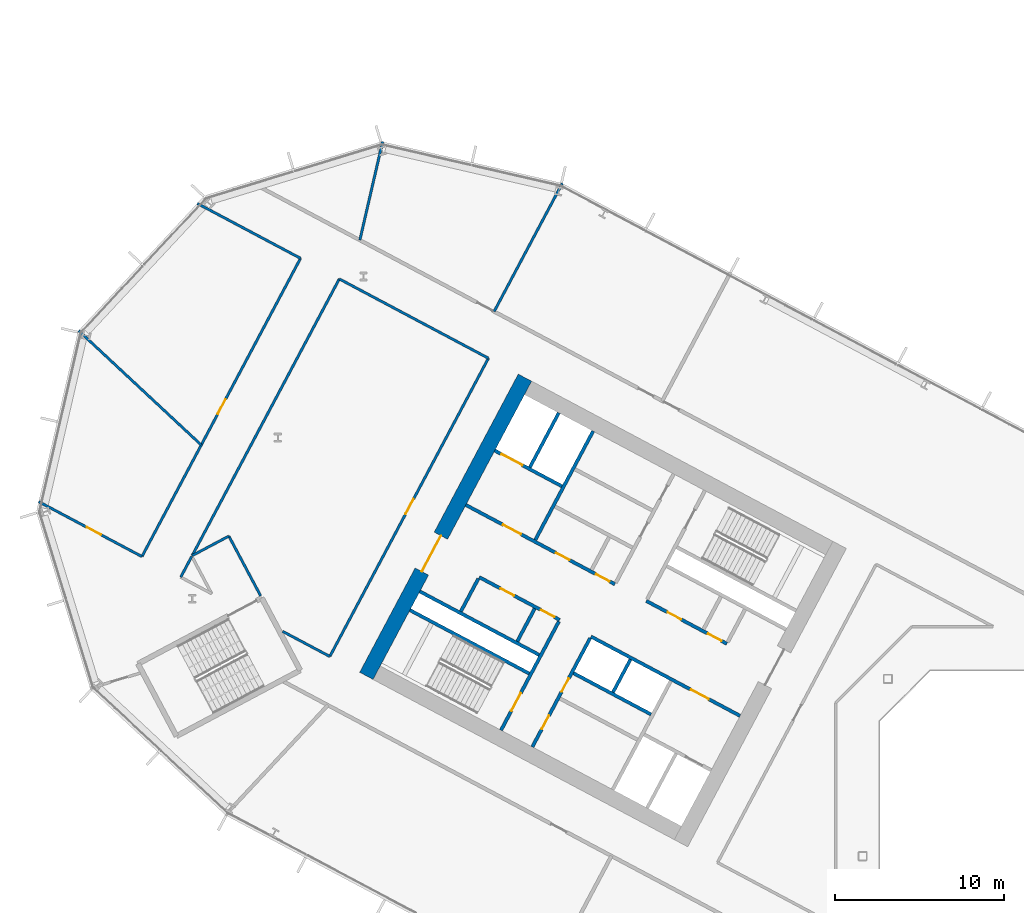
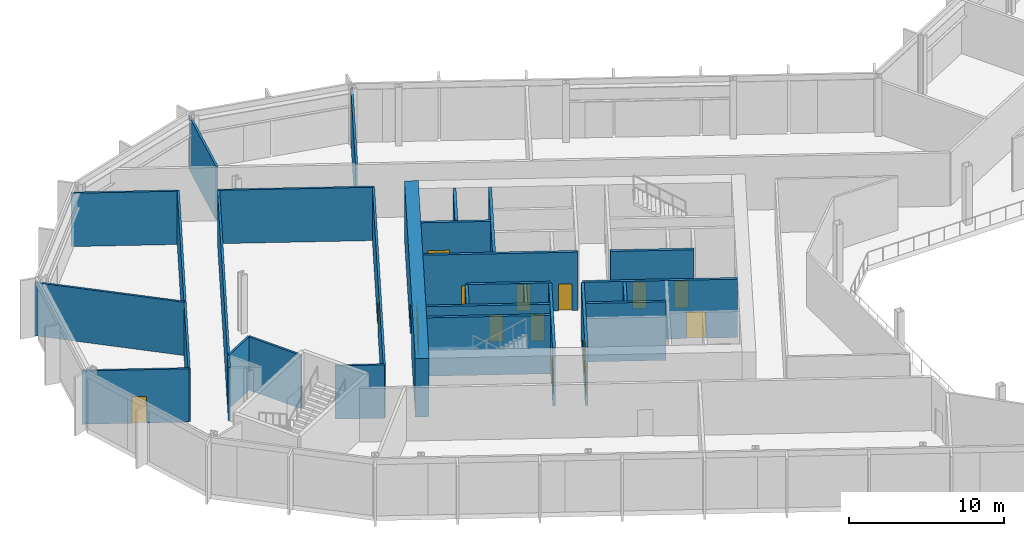
# One storey, part 15 of 31: 29 walls, 16 doors, 16 openings.
"""IFC4 building model written with IfcOpenShell, lengths in metres."""

from ifc_helpers import new_model, si_unit, direction, frame, frame_2d, origin, place, context, subcontext, project, spatial, rectangle, extrude, material, layer, layer_set, type_object, element, fill, save


model = new_model("IFC4")

# Units and contexts
model_context = context("Model", 3, precision=1e-05, world=origin(), true_north=direction((0.0, 1.0)))
body_context = subcontext(model_context, "Body", "Model", "MODEL_VIEW")
ifc_project = project(units=[si_unit("LENGTHUNIT", "METRE"), si_unit("AREAUNIT", "SQUARE_METRE"), si_unit("VOLUMEUNIT", "CUBIC_METRE"), si_unit("PLANEANGLEUNIT", "RADIAN"), si_unit("MASSUNIT", "GRAM", prefix="KILO")], contexts=[model_context])

# Site, building, storey
site_placement = place(None, origin())
site = spatial("IfcSite", under=ifc_project, at=site_placement, CompositionType="ELEMENT")
building_placement = place(site_placement, origin())
building = spatial("IfcBuilding", under=site, at=building_placement, Name="Cormorant Relay Tower", CompositionType="ELEMENT")
storey_placement = place(building_placement, frame((0.0, 0.0, 98.39990234375)))
storey = spatial("IfcBuildingStorey", under=building, at=storey_placement, Name="L19", CompositionType="ELEMENT", Elevation=98.39990234375)

# Walls
ifc_material_1 = material(Name="Concrete 40 MPa", Category="concrete")
ifc_layer_1 = layer(ifc_material_1, 0.199951171875)
ifc_layer_set_1 = layer_set([ifc_layer_1], Name="Core internal wall 200")
wall_type_1 = type_object("IfcWallType", Name="Core internal wall 200", PredefinedType="SOLIDWALL", material=ifc_layer_set_1)
wall_1_placement = place(storey_placement, frame((-25.744140625, 11.64990234375, 0.0), z_axis=(0.0, 0.0, 1.0), x_axis=(-0.469487830541, -0.882938942948, 0.0)))
element("IfcWall", 1, at=wall_1_placement, inside=storey, type_object=wall_type_1, Name="L19 core A shaft and room wall", PredefinedType="SOLIDWALL", context=body_context, shape_type="SweptSolid", body=[
    extrude(rectangle(XDim=2.2001953125, YDim=0.199951171875, at=frame_2d((1.10009765625, 0.0))), origin(), (0.0, 0.0, 1.0), 4.60009765625),
])
wall_2_placement = place(storey_placement, frame((-31.41259765625, 14.663818359375, 0.0), z_axis=(0.0, 0.0, 1.0), x_axis=(-0.469533832133, -0.882914480843, 0.0)))
element("IfcWall", 2, at=wall_2_placement, inside=storey, type_object=wall_type_1, Name="L19 core A shaft and room wall", PredefinedType="SOLIDWALL", context=body_context, shape_type="SweptSolid", body=[
    extrude(rectangle(XDim=2.199951171875, YDim=0.199951171875, at=frame_2d((1.10009765625, 0.0))), origin(), (0.0, 0.0, 1.0), 4.60009765625),
])

# Wall, openings, doors
ifc_material_2 = material(Name="Concrete 50 MPa", Category="concrete")
ifc_layer_2 = layer(ifc_material_2, 0.199951171875)
ifc_layer_set_2 = layer_set([ifc_layer_2], Name="Core shaft wall 200")
wall_type_2 = type_object("IfcWallType", Name="Core shaft wall 200", PredefinedType="SHEAR", material=ifc_layer_set_2)
wall_3_placement = place(storey_placement, frame((-28.128173828125, 12.91748046875, 0.0), z_axis=(0.0, 0.0, 1.0), x_axis=(-0.469454336211, -0.882956752176, 0.0)))
wall_3 = element("IfcWall", 3, at=wall_3_placement, inside=storey, type_object=wall_type_2, Name="L19 core A shaft wall", PredefinedType="SHEAR", context=body_context, shape_type="SweptSolid", body=[
    extrude(rectangle(XDim=7.300048828125, YDim=0.199951171875, at=frame_2d((3.64990234375, 0.0))), origin(), (0.0, 0.0, 1.0), 4.60009765625),
])
opening_1_placement = place(wall_3_placement, frame((2.699951171875, 0.0, 0.0)))
opening_1 = element("IfcOpeningElement", 4, at=opening_1_placement, cuts=wall_3, Name="Opening CDD-138", PredefinedType="OPENING", context=body_context, shape_type="SweptSolid", body=[
    extrude(rectangle(XDim=0.89990234375, YDim=2.10009765625, at=frame_2d((0.449951171875, 1.050048828125))), frame((0.0, 0.10986328125, 0.0), z_axis=(0.0, -1.0, 0.0), x_axis=(1.0, 0.0, 0.0)), (0.0, 0.0, 1.0), 0.219970703125),
])
opening_2_placement = place(wall_3_placement, frame((5.199951171875, 0.0, 0.0)))
opening_2 = element("IfcOpeningElement", 5, at=opening_2_placement, cuts=wall_3, Name="Opening CDD-139", PredefinedType="OPENING", context=body_context, shape_type="SweptSolid", body=[
    extrude(rectangle(XDim=0.89990234375, YDim=2.10009765625, at=frame_2d((0.449951171875, 1.050048828125))), frame((0.0, 0.10986328125, 0.0), z_axis=(0.0, -1.0, 0.0), x_axis=(1.0, 0.0, 0.0)), (0.0, 0.0, 1.0), 0.219970703125),
])
ifc_material_3 = material(Name="Steel fire door", Category="steel")
door_type_1 = type_object("IfcDoorType", Name="Core room door 900x2100", OperationType="SINGLE_SWING_LEFT", PredefinedType="DOOR", material=ifc_material_3)
door_1_placement = place(opening_1_placement, origin())
door_1 = element("IfcDoor", 6, at=door_1_placement, inside=storey, type_object=door_type_1, Name="Core room door 900x2100", OperationType="SINGLE_SWING_LEFT", OverallHeight=2.10009765625, OverallWidth=0.89990234375, PredefinedType="DOOR", context=body_context, shape_type="SweptSolid", body=[
    extrude(rectangle(XDim=0.89990234375, YDim=2.10009765625, at=frame_2d((0.449951171875, 1.050048828125))), frame((0.0, 0.02490234375, 0.0), z_axis=(0.0, -1.0, 0.0), x_axis=(1.0, 0.0, 0.0)), (0.0, 0.0, 1.0), 0.050048828125),
])
fill(opening_1, door_1)
door_2_placement = place(opening_2_placement, origin())
door_2 = element("IfcDoor", 7, at=door_2_placement, inside=storey, type_object=door_type_1, Name="Core room door 900x2100", OperationType="SINGLE_SWING_LEFT", OverallHeight=2.10009765625, OverallWidth=0.89990234375, PredefinedType="DOOR", context=body_context, shape_type="SweptSolid", body=[
    extrude(rectangle(XDim=0.89990234375, YDim=2.10009765625, at=frame_2d((0.449951171875, 1.050048828125))), frame((0.0, 0.02490234375, 0.0), z_axis=(0.0, -1.0, 0.0), x_axis=(1.0, 0.0, 0.0)), (0.0, 0.0, 1.0), 0.050048828125),
])
fill(opening_2, door_2)

# Wall, opening, door
wall_4_placement = place(storey_placement, frame((-29.982421875, 13.9033203125, 0.0), z_axis=(0.0, 0.0, 1.0), x_axis=(-0.469454336211, -0.882956752176, 0.0)))
wall_4 = element("IfcWall", 8, at=wall_4_placement, inside=storey, type_object=wall_type_2, Name="L19 core A shaft wall", PredefinedType="SHEAR", context=body_context, shape_type="SweptSolid", body=[
    extrude(rectangle(XDim=7.300048828125, YDim=0.199951171875, at=frame_2d((3.64990234375, 0.0))), origin(), (0.0, 0.0, 1.0), 4.60009765625),
])
opening_3_placement = place(wall_4_placement, frame((4.800048828125, 0.0, 0.0)))
opening_3 = element("IfcOpeningElement", 9, at=opening_3_placement, cuts=wall_4, Name="Opening CDB-025", PredefinedType="OPENING", context=body_context, shape_type="SweptSolid", body=[
    extrude(rectangle(XDim=1.199951171875, YDim=2.10009765625, at=frame_2d((0.60009765625, 1.050048828125))), frame((0.0, 0.10986328125, 0.0), z_axis=(0.0, -1.0, 0.0), x_axis=(1.0, 0.0, 0.0)), (0.0, 0.0, 1.0), 0.219970703125),
])
ifc_material_4 = material(Name="Steel fire door", Category="steel")
door_type_2 = type_object("IfcDoorType", Name="Core stair door 1200x2100", OperationType="SINGLE_SWING_LEFT", PredefinedType="DOOR", material=ifc_material_4)
door_3_placement = place(opening_3_placement, frame((1.199951171875, 0.0, 0.0), z_axis=(0.0, 0.0, 1.0), x_axis=(-1.0, 0.0, 0.0)))
door_3 = element("IfcDoor", 10, at=door_3_placement, inside=storey, type_object=door_type_2, Name="Core stair door 1200x2100", OperationType="SINGLE_SWING_RIGHT", OverallHeight=2.10009765625, OverallWidth=1.199951171875, PredefinedType="DOOR", context=body_context, shape_type="SweptSolid", body=[
    extrude(rectangle(XDim=1.199951171875, YDim=2.10009765625, at=frame_2d((0.60009765625, 1.050048828125))), frame((0.0, 0.02490234375, 0.0), z_axis=(0.0, -1.0, 0.0), x_axis=(1.0, 0.0, 0.0)), (0.0, 0.0, 1.0), 0.050048828125),
])
fill(opening_3, door_3)

# Walls
wall_5_placement = place(storey_placement, frame((-27.955322265625, 25.170654296875, 0.0), z_axis=(0.0, 0.0, 1.0), x_axis=(-0.469480409012, -0.88294288918, 0.0)))
element("IfcWall", 11, at=wall_5_placement, inside=storey, type_object=wall_type_2, Name="L19 core A shaft wall", PredefinedType="SHEAR", context=body_context, shape_type="SweptSolid", body=[
    extrude(rectangle(XDim=7.300048828125, YDim=0.199951171875, at=frame_2d((3.64990234375, 0.0))), origin(), (0.0, 0.0, 1.0), 4.60009765625),
])
wall_6_placement = place(storey_placement, frame((-34.750244140625, 16.4384765625, 0.0), z_axis=(0.0, 0.0, 1.0), x_axis=(-0.469401318492, -0.882984938828, 0.0)))
element("IfcWall", 12, at=wall_6_placement, inside=storey, type_object=wall_type_2, Name="L19 core A shaft wall", PredefinedType="SHEAR", context=body_context, shape_type="SweptSolid", body=[
    extrude(rectangle(XDim=2.199951171875, YDim=0.199951171875, at=frame_2d((1.10009765625, 0.0))), origin(), (0.0, 0.0, 1.0), 4.60009765625),
])
wall_7_placement = place(storey_placement, frame((-29.986083984375, 26.250244140625, 0.0), z_axis=(0.0, 0.0, 1.0), x_axis=(-0.469494272526, -0.882935517501, 0.0)))
element("IfcWall", 13, at=wall_7_placement, inside=storey, type_object=wall_type_2, Name="L19 core A shaft wall", PredefinedType="SHEAR", context=body_context, shape_type="SweptSolid", body=[
    extrude(rectangle(XDim=3.64990234375, YDim=0.199951171875, at=frame_2d((1.824951171875, 0.0))), origin(), (0.0, 0.0, 1.0), 4.60009765625),
])

# Wall, opening, door
wall_8_placement = place(storey_placement, frame((-29.80419921875, 21.906494140625, 0.0), z_axis=(0.0, 0.0, 1.0), x_axis=(-0.882960433586, 0.469447412093, 0.0)))
wall_8 = element("IfcWall", 14, at=wall_8_placement, inside=storey, type_object=wall_type_2, Name="L19 core A shaft wall", PredefinedType="SHEAR", context=body_context, shape_type="SweptSolid", body=[
    extrude(rectangle(XDim=4.5, YDim=0.199951171875, at=frame_2d((2.25, 0.0))), origin(), (0.0, 0.0, 1.0), 4.60009765625),
])
opening_4_placement = place(wall_8_placement, frame((2.64990234375, 0.0, 0.0)))
opening_4 = element("IfcOpeningElement", 15, at=opening_4_placement, cuts=wall_8, Name="Opening LD3-009", PredefinedType="OPENING", context=body_context, shape_type="SweptSolid", body=[
    extrude(rectangle(XDim=1.39990234375, YDim=2.39990234375, at=frame_2d((0.699951171875, 1.199951171875))), frame((0.0, 0.10986328125, 0.0), z_axis=(0.0, -1.0, 0.0), x_axis=(1.0, 0.0, 0.0)), (0.0, 0.0, 1.0), 0.219970703125),
])
ifc_material_5 = material(Name="Stainless steel 316", Category="steel")
door_type_3 = type_object("IfcDoorType", Name="Lift landing door 1400x2400", OperationType="DOUBLE_DOOR_SLIDING", PredefinedType="DOOR", material=ifc_material_5)
door_4_placement = place(opening_4_placement, origin())
door_4 = element("IfcDoor", 16, at=door_4_placement, inside=storey, type_object=door_type_3, Name="SV1 landing door", OperationType="DOUBLE_DOOR_SLIDING", OverallHeight=2.39990234375, OverallWidth=1.39990234375, PredefinedType="DOOR", context=body_context, shape_type="SweptSolid", body=[
    extrude(rectangle(XDim=1.39990234375, YDim=2.39990234375, at=frame_2d((0.699951171875, 1.199951171875))), frame((0.0, 0.02490234375, 0.0), z_axis=(0.0, -1.0, 0.0), x_axis=(1.0, 0.0, 0.0)), (0.0, 0.0, 1.0), 0.050048828125),
])
fill(opening_4, door_4)

# Wall, openings, doors
wall_9_placement = place(storey_placement, frame((-20.03955078125, 12.58056640625, 0.0), z_axis=(0.0, 0.0, 1.0), x_axis=(-0.882942972946, 0.469480251476, 0.0)))
wall_9 = element("IfcWall", 17, at=wall_9_placement, inside=storey, type_object=wall_type_2, Name="L19 core A shaft wall", PredefinedType="SHEAR", context=body_context, shape_type="SweptSolid", body=[
    extrude(rectangle(XDim=5.39990234375, YDim=0.199951171875, at=frame_2d((2.699951171875, 0.0))), origin(), (0.0, 0.0, 1.0), 4.60009765625),
])
opening_5_placement = place(wall_9_placement, frame((0.360107421875, 0.0, 0.0)))
opening_5 = element("IfcOpeningElement", 18, at=opening_5_placement, cuts=wall_9, Name="Opening CDD-110", PredefinedType="OPENING", context=body_context, shape_type="SweptSolid", body=[
    extrude(rectangle(XDim=0.89990234375, YDim=2.10009765625, at=frame_2d((0.449951171875, 1.050048828125))), frame((0.0, 0.10986328125, 0.0), z_axis=(0.0, -1.0, 0.0), x_axis=(1.0, 0.0, 0.0)), (0.0, 0.0, 1.0), 0.219970703125),
])
opening_6_placement = place(wall_9_placement, frame((3.06005859375, 0.0, 0.0)))
opening_6 = element("IfcOpeningElement", 19, at=opening_6_placement, cuts=wall_9, Name="Opening CDD-111", PredefinedType="OPENING", context=body_context, shape_type="SweptSolid", body=[
    extrude(rectangle(XDim=0.89990234375, YDim=2.10009765625, at=frame_2d((0.449951171875, 1.050048828125))), frame((0.0, 0.10986328125, 0.0), z_axis=(0.0, -1.0, 0.0), x_axis=(1.0, 0.0, 0.0)), (0.0, 0.0, 1.0), 0.219970703125),
])
door_5_placement = place(opening_5_placement, frame((0.89990234375, 0.0, 0.0), z_axis=(0.0, 0.0, 1.0), x_axis=(-1.0, 0.0, 0.0)))
door_5 = element("IfcDoor", 20, at=door_5_placement, inside=storey, type_object=door_type_1, Name="Core room door 900x2100", OperationType="SINGLE_SWING_RIGHT", OverallHeight=2.10009765625, OverallWidth=0.89990234375, PredefinedType="DOOR", context=body_context, shape_type="SweptSolid", body=[
    extrude(rectangle(XDim=0.89990234375, YDim=2.10009765625, at=frame_2d((0.449951171875, 1.050048828125))), frame((0.0, 0.02490234375, 0.0), z_axis=(0.0, -1.0, 0.0), x_axis=(1.0, 0.0, 0.0)), (0.0, 0.0, 1.0), 0.050048828125),
])
fill(opening_5, door_5)
door_6_placement = place(opening_6_placement, frame((0.89990234375, 0.0, 0.0), z_axis=(0.0, 0.0, 1.0), x_axis=(-1.0, 0.0, 0.0)))
door_6 = element("IfcDoor", 21, at=door_6_placement, inside=storey, type_object=door_type_1, Name="Core room door 900x2100", OperationType="SINGLE_SWING_RIGHT", OverallHeight=2.10009765625, OverallWidth=0.89990234375, PredefinedType="DOOR", context=body_context, shape_type="SweptSolid", body=[
    extrude(rectangle(XDim=0.89990234375, YDim=2.10009765625, at=frame_2d((0.449951171875, 1.050048828125))), frame((0.0, 0.02490234375, 0.0), z_axis=(0.0, -1.0, 0.0), x_axis=(1.0, 0.0, 0.0)), (0.0, 0.0, 1.0), 0.050048828125),
])
fill(opening_6, door_6)

wall_10_placement = place(storey_placement, frame((-26.66162109375, 16.1015625, 0.0), z_axis=(0.0, 0.0, 1.0), x_axis=(-0.882940221191, 0.469485426614, 0.0)))
wall_10 = element("IfcWall", 22, at=wall_10_placement, inside=storey, type_object=wall_type_2, Name="L19 core A shaft wall", PredefinedType="SHEAR", context=body_context, shape_type="SweptSolid", body=[
    extrude(rectangle(XDim=10.0, YDim=0.199951171875, at=frame_2d((5.0, 0.0))), origin(), (0.0, 0.0, 1.0), 4.60009765625),
])
opening_7_placement = place(wall_10_placement, frame((6.300048828125, 0.0, 0.0)))
opening_7 = element("IfcOpeningElement", 23, at=opening_7_placement, cuts=wall_10, Name="Opening CDC-018", PredefinedType="OPENING", context=body_context, shape_type="SweptSolid", body=[
    extrude(rectangle(XDim=1.199951171875, YDim=2.10009765625, at=frame_2d((0.60009765625, 1.050048828125))), frame((0.0, 0.10986328125, 0.0), z_axis=(0.0, -1.0, 0.0), x_axis=(1.0, 0.0, 0.0)), (0.0, 0.0, 1.0), 0.219970703125),
])
opening_8_placement = place(wall_10_placement, frame((0.360107421875, 0.0, 0.0)))
opening_8 = element("IfcOpeningElement", 24, at=opening_8_placement, cuts=wall_10, Name="Opening CDD-112", PredefinedType="OPENING", context=body_context, shape_type="SweptSolid", body=[
    extrude(rectangle(XDim=0.89990234375, YDim=2.10009765625, at=frame_2d((0.449951171875, 1.050048828125))), frame((0.0, 0.10986328125, 0.0), z_axis=(0.0, -1.0, 0.0), x_axis=(1.0, 0.0, 0.0)), (0.0, 0.0, 1.0), 0.219970703125),
])
opening_9_placement = place(wall_10_placement, frame((3.06005859375, 0.0, 0.0)))
opening_9 = element("IfcOpeningElement", 25, at=opening_9_placement, cuts=wall_10, Name="Opening CDD-113", PredefinedType="OPENING", context=body_context, shape_type="SweptSolid", body=[
    extrude(rectangle(XDim=0.89990234375, YDim=2.10009765625, at=frame_2d((0.449951171875, 1.050048828125))), frame((0.0, 0.10986328125, 0.0), z_axis=(0.0, -1.0, 0.0), x_axis=(1.0, 0.0, 0.0)), (0.0, 0.0, 1.0), 0.219970703125),
])
ifc_material_6 = material(Name="Steel fire door", Category="steel")
door_type_4 = type_object("IfcDoorType", Name="Core lobby door 1200x2100", OperationType="SINGLE_SWING_LEFT", PredefinedType="DOOR", material=ifc_material_6)
door_7_placement = place(opening_7_placement, origin())
door_7 = element("IfcDoor", 26, at=door_7_placement, inside=storey, type_object=door_type_4, Name="Core lobby door 1200x2100", OperationType="SINGLE_SWING_LEFT", OverallHeight=2.10009765625, OverallWidth=1.199951171875, PredefinedType="DOOR", context=body_context, shape_type="SweptSolid", body=[
    extrude(rectangle(XDim=1.199951171875, YDim=2.10009765625, at=frame_2d((0.60009765625, 1.050048828125))), frame((0.0, 0.02490234375, 0.0), z_axis=(0.0, -1.0, 0.0), x_axis=(1.0, 0.0, 0.0)), (0.0, 0.0, 1.0), 0.050048828125),
])
fill(opening_7, door_7)
door_8_placement = place(opening_8_placement, frame((0.89990234375, 0.0, 0.0), z_axis=(0.0, 0.0, 1.0), x_axis=(-1.0, 0.0, 0.0)))
door_8 = element("IfcDoor", 27, at=door_8_placement, inside=storey, type_object=door_type_1, Name="Core room door 900x2100", OperationType="SINGLE_SWING_RIGHT", OverallHeight=2.10009765625, OverallWidth=0.89990234375, PredefinedType="DOOR", context=body_context, shape_type="SweptSolid", body=[
    extrude(rectangle(XDim=0.89990234375, YDim=2.10009765625, at=frame_2d((0.449951171875, 1.050048828125))), frame((0.0, 0.02490234375, 0.0), z_axis=(0.0, -1.0, 0.0), x_axis=(1.0, 0.0, 0.0)), (0.0, 0.0, 1.0), 0.050048828125),
])
fill(opening_8, door_8)
door_9_placement = place(opening_9_placement, frame((0.89990234375, 0.0, 0.0), z_axis=(0.0, 0.0, 1.0), x_axis=(-1.0, 0.0, 0.0)))
door_9 = element("IfcDoor", 28, at=door_9_placement, inside=storey, type_object=door_type_1, Name="Core room door 900x2100", OperationType="SINGLE_SWING_RIGHT", OverallHeight=2.10009765625, OverallWidth=0.89990234375, PredefinedType="DOOR", context=body_context, shape_type="SweptSolid", body=[
    extrude(rectangle(XDim=0.89990234375, YDim=2.10009765625, at=frame_2d((0.449951171875, 1.050048828125))), frame((0.0, 0.02490234375, 0.0), z_axis=(0.0, -1.0, 0.0), x_axis=(1.0, 0.0, 0.0)), (0.0, 0.0, 1.0), 0.050048828125),
])
fill(opening_9, door_9)

# Wall, opening, door
wall_11_placement = place(storey_placement, frame((-19.251708984375, 8.31103515625, 0.0), z_axis=(0.0, 0.0, 1.0), x_axis=(-0.882955722218, 0.469456273365, 0.0)))
wall_11 = element("IfcWall", 29, at=wall_11_placement, inside=storey, type_object=wall_type_2, Name="L19 core A shaft wall", PredefinedType="SHEAR", context=body_context, shape_type="SweptSolid", body=[
    extrude(rectangle(XDim=10.0, YDim=0.199951171875, at=frame_2d((5.0, 0.0))), origin(), (0.0, 0.0, 1.0), 4.60009765625),
])
opening_10_placement = place(wall_11_placement, frame((2.10009765625, 0.0, 0.0)))
opening_10 = element("IfcOpeningElement", 30, at=opening_10_placement, cuts=wall_11, Name="Opening CDC-017", PredefinedType="OPENING", context=body_context, shape_type="SweptSolid", body=[
    extrude(rectangle(XDim=1.199951171875, YDim=2.10009765625, at=frame_2d((0.60009765625, 1.050048828125))), frame((0.0, 0.10986328125, 0.0), z_axis=(0.0, -1.0, 0.0), x_axis=(1.0, 0.0, 0.0)), (0.0, 0.0, 1.0), 0.219970703125),
])
door_10_placement = place(opening_10_placement, origin())
door_10 = element("IfcDoor", 31, at=door_10_placement, inside=storey, type_object=door_type_4, Name="Core lobby door 1200x2100", OperationType="SINGLE_SWING_RIGHT", OverallHeight=2.10009765625, OverallWidth=1.199951171875, PredefinedType="DOOR", context=body_context, shape_type="SweptSolid", body=[
    extrude(rectangle(XDim=1.199951171875, YDim=2.10009765625, at=frame_2d((0.60009765625, 1.050048828125))), frame((0.0, 0.02490234375, 0.0), z_axis=(0.0, -1.0, 0.0), x_axis=(1.0, 0.0, 0.0)), (0.0, 0.0, 1.0), 0.050048828125),
])
fill(opening_10, door_10)

# Wall, openings, doors
wall_12_placement = place(storey_placement, frame((-29.935302734375, 13.991455078125, 0.0), z_axis=(0.0, 0.0, 1.0), x_axis=(-0.882952937579, 0.469461510692, 0.0)))
wall_12 = element("IfcWall", 32, at=wall_12_placement, inside=storey, type_object=wall_type_2, Name="L19 core A shaft wall", PredefinedType="SHEAR", context=body_context, shape_type="SweptSolid", body=[
    extrude(rectangle(XDim=5.400146484375, YDim=0.199951171875, at=frame_2d((2.7001953125, 0.0))), origin(), (0.0, 0.0, 1.0), 4.60009765625),
])
opening_11_placement = place(wall_12_placement, frame((0.360107421875, 0.0, 0.0)))
opening_11 = element("IfcOpeningElement", 33, at=opening_11_placement, cuts=wall_12, Name="Opening CDD-108", PredefinedType="OPENING", context=body_context, shape_type="SweptSolid", body=[
    extrude(rectangle(XDim=0.89990234375, YDim=2.10009765625, at=frame_2d((0.449951171875, 1.050048828125))), frame((0.0, 0.10986328125, 0.0), z_axis=(0.0, -1.0, 0.0), x_axis=(1.0, 0.0, 0.0)), (0.0, 0.0, 1.0), 0.219970703125),
])
opening_12_placement = place(wall_12_placement, frame((3.06005859375, 0.0, 0.0)))
opening_12 = element("IfcOpeningElement", 34, at=opening_12_placement, cuts=wall_12, Name="Opening CDD-109", PredefinedType="OPENING", context=body_context, shape_type="SweptSolid", body=[
    extrude(rectangle(XDim=0.89990234375, YDim=2.10009765625, at=frame_2d((0.449951171875, 1.050048828125))), frame((0.0, 0.10986328125, 0.0), z_axis=(0.0, -1.0, 0.0), x_axis=(1.0, 0.0, 0.0)), (0.0, 0.0, 1.0), 0.219970703125),
])
door_11_placement = place(opening_11_placement, origin())
door_11 = element("IfcDoor", 35, at=door_11_placement, inside=storey, type_object=door_type_1, Name="Core room door 900x2100", OperationType="SINGLE_SWING_LEFT", OverallHeight=2.10009765625, OverallWidth=0.89990234375, PredefinedType="DOOR", context=body_context, shape_type="SweptSolid", body=[
    extrude(rectangle(XDim=0.89990234375, YDim=2.10009765625, at=frame_2d((0.449951171875, 1.050048828125))), frame((0.0, 0.02490234375, 0.0), z_axis=(0.0, -1.0, 0.0), x_axis=(1.0, 0.0, 0.0)), (0.0, 0.0, 1.0), 0.050048828125),
])
fill(opening_11, door_11)
door_12_placement = place(opening_12_placement, origin())
door_12 = element("IfcDoor", 36, at=door_12_placement, inside=storey, type_object=door_type_1, Name="Core room door 900x2100", OperationType="SINGLE_SWING_LEFT", OverallHeight=2.10009765625, OverallWidth=0.89990234375, PredefinedType="DOOR", context=body_context, shape_type="SweptSolid", body=[
    extrude(rectangle(XDim=0.89990234375, YDim=2.10009765625, at=frame_2d((0.449951171875, 1.050048828125))), frame((0.0, 0.02490234375, 0.0), z_axis=(0.0, -1.0, 0.0), x_axis=(1.0, 0.0, 0.0)), (0.0, 0.0, 1.0), 0.050048828125),
])
fill(opening_12, door_12)

# Walls
wall_13_placement = place(storey_placement, frame((-24.5283203125, 8.3984375, 0.0), z_axis=(0.0, 0.0, 1.0), x_axis=(-0.882953967957, 0.469459572775, 0.0)))
element("IfcWall", 37, at=wall_13_placement, inside=storey, type_object=wall_type_2, Name="L19 core A shaft wall", PredefinedType="SHEAR", context=body_context, shape_type="SweptSolid", body=[
    extrude(rectangle(XDim=5.199951171875, YDim=0.199951171875, at=frame_2d((2.60009765625, 0.0))), origin(), (0.0, 0.0, 1.0), 4.60009765625),
])
for number, where, z_axis, x_axis, name in (
    (38, (-31.150390625, 11.91943359375, 0.0), (0.0, 0.0, 1.0), (-0.882940221191, 0.469485426614, 0.0), "L19 core A shaft wall"),
    (39, (-31.7373046875, 10.815673828125, 0.0), (0.0, 0.0, 1.0), (-0.882940221191, 0.469485426614, 0.0), "L19 core A shaft wall"),
):
    element("IfcWall", number, at=place(storey_placement, frame(where, z_axis=z_axis, x_axis=x_axis)), inside=storey, type_object=wall_type_2, Name=name, PredefinedType="SHEAR", context=body_context, shape_type="SweptSolid", body=[
        extrude(rectangle(XDim=8.0, YDim=0.199951171875, at=frame_2d((4.0, 0.0))), origin(), (0.0, 0.0, 1.0), 4.60009765625),
    ])

# Wall, opening, door
ifc_material_7 = material(Name="Concrete 70 MPa", Category="concrete")
ifc_layer_3 = layer(ifc_material_7, 0.89990234375)
ifc_layer_set_3 = layer_set([ifc_layer_3], Name="Core wall 900")
wall_type_3 = type_object("IfcWallType", Name="Core wall 900", PredefinedType="SHEAR", material=ifc_layer_set_3)
wall_14_placement = place(storey_placement, frame((-31.99169921875, 28.3359375, 0.0), z_axis=(0.0, 0.0, 1.0), x_axis=(-0.46947084998, -0.882947971864, 0.0)))
wall_14 = element("IfcWall", 40, at=wall_14_placement, inside=storey, type_object=wall_type_3, Name="L19 core A wall", PredefinedType="SHEAR", context=body_context, shape_type="SweptSolid", body=[
    extrude(rectangle(XDim=20.0, YDim=0.89990234375, at=frame_2d((10.0, 0.0))), origin(), (0.0, 0.0, 1.0), 4.60009765625),
])
opening_13_placement = place(wall_14_placement, frame((10.60009765625, 0.0, 0.0)))
opening_13 = element("IfcOpeningElement", 41, at=opening_13_placement, cuts=wall_14, Name="Opening CDA-018", PredefinedType="OPENING", context=body_context, shape_type="SweptSolid", body=[
    extrude(rectangle(XDim=2.39990234375, YDim=2.39990234375, at=frame_2d((1.199951171875, 1.199951171875))), frame((0.0, 0.4599609375, 0.0), z_axis=(0.0, -1.0, 0.0), x_axis=(1.0, 0.0, 0.0)), (0.0, 0.0, 1.0), 0.919921875),
])
ifc_material_8 = material(Name="Steel fire door", Category="steel")
door_type_5 = type_object("IfcDoorType", Name="Core lobby door 2400x2400", OperationType="DOUBLE_DOOR_SINGLE_SWING", PredefinedType="DOOR", material=ifc_material_8)
door_13_placement = place(opening_13_placement, origin())
door_13 = element("IfcDoor", 42, at=door_13_placement, inside=storey, type_object=door_type_5, Name="Core lobby door 2400x2400", OperationType="DOUBLE_DOOR_SINGLE_SWING", OverallHeight=2.39990234375, OverallWidth=2.39990234375, PredefinedType="DOOR", context=body_context, shape_type="SweptSolid", body=[
    extrude(rectangle(XDim=2.39990234375, YDim=2.39990234375, at=frame_2d((1.199951171875, 1.199951171875))), frame((0.0, 0.02490234375, 0.0), z_axis=(0.0, -1.0, 0.0), x_axis=(1.0, 0.0, 0.0)), (0.0, 0.0, 1.0), 0.050048828125),
])
fill(opening_13, door_13)

ifc_material_9 = material(Name="Gypsum board partition")
ifc_layer_4 = layer(ifc_material_9, 0.14990234375)
ifc_layer_set_4 = layer_set([ifc_layer_4], Name="Gypsum board partition 150")
wall_type_4 = type_object("IfcWallType", Name="Gypsum board partition 150", PredefinedType="PARTITIONING", material=ifc_layer_set_4)
wall_15_placement = place(storey_placement, frame((-54.669921875, 17.742919921875, 0.0), z_axis=(0.0, 0.0, 1.0), x_axis=(0.469484822724, 0.882940542297, 0.0)))
wall_15 = element("IfcWall", 43, at=wall_15_placement, inside=storey, type_object=wall_type_4, Name="wall/L19/part/1", PredefinedType="PARTITIONING", context=body_context, shape_type="SweptSolid", body=[
    extrude(rectangle(XDim=20.00048828125, YDim=0.14990234375, at=frame_2d((10.000244140625, 0.0))), origin(), (0.0, 0.0, 1.0), 4.2001953125),
])
opening_14_placement = place(wall_15_placement, frame((9.550048828125, 0.0, 0.0)))
opening_14 = element("IfcOpeningElement", 44, at=opening_14_placement, cuts=wall_15, Name="Opening D1-044", PredefinedType="OPENING", context=body_context, shape_type="SweptSolid", body=[
    extrude(rectangle(XDim=1.0, YDim=2.10009765625, at=frame_2d((0.5, 1.050048828125))), frame((0.0, 0.0849609375, 0.0), z_axis=(0.0, -1.0, 0.0), x_axis=(1.0, 0.0, 0.0)), (0.0, 0.0, 1.0), 0.169921875),
])
ifc_material_10 = material(Name="Painted steel door", Category="steel")
door_type_6 = type_object("IfcDoorType", Name="Single door 1000 x 2100", OperationType="SINGLE_SWING_LEFT", PredefinedType="DOOR", material=ifc_material_10)
door_14_placement = place(opening_14_placement, origin())
door_14 = element("IfcDoor", 45, at=door_14_placement, inside=storey, type_object=door_type_6, Name="door/L19/1", OperationType="SINGLE_SWING_RIGHT", OverallHeight=2.10009765625, OverallWidth=1.0, PredefinedType="DOOR", context=body_context, shape_type="SweptSolid", body=[
    extrude(rectangle(XDim=1.0, YDim=2.10009765625, at=frame_2d((0.5, 1.050048828125))), frame((0.0, 0.02490234375, 0.0), z_axis=(0.0, -1.0, 0.0), x_axis=(1.0, 0.0, 0.0)), (0.0, 0.0, 1.0), 0.050048828125),
])
fill(opening_14, door_14)

# Walls
wall_16_placement = place(storey_placement, frame((-45.280029296875, 35.402099609375, 0.0), z_axis=(0.0, 0.0, 1.0), x_axis=(-0.883034938071, 0.469307253456, 0.0)))
element("IfcWall", 46, at=wall_16_placement, inside=storey, type_object=wall_type_4, Name="wall/L19/part/2", PredefinedType="PARTITIONING", context=body_context, shape_type="SweptSolid", body=[
    extrude(rectangle(XDim=6.92724609375, YDim=0.14990234375, at=frame_2d((3.463623046875, 0.0))), origin(), (0.0, 0.0, 1.0), 4.2001953125),
])
wall_17_placement = place(storey_placement, frame((-58.427001953125, 31.125, 0.0), z_axis=(0.0, 0.0, 1.0), x_axis=(0.731469280526, -0.6818743958, 0.0)))
element("IfcWall", 47, at=wall_17_placement, inside=storey, type_object=wall_type_4, Name="wall/L19/part/3", PredefinedType="PARTITIONING", context=body_context, shape_type="SweptSolid", body=[
    extrude(rectangle(XDim=9.93896484375, YDim=0.14990234375, at=frame_2d((4.969482421875, 0.0))), origin(), (0.0, 0.0, 1.0), 4.2001953125),
])

# Wall, opening, door
wall_18_placement = place(storey_placement, frame((-54.669921875, 17.742919921875, 0.0), z_axis=(0.0, 0.0, 1.0), x_axis=(-0.882930834394, 0.469503079517, 0.0)))
wall_18 = element("IfcWall", 48, at=wall_18_placement, inside=storey, type_object=wall_type_4, Name="wall/L19/part/4", PredefinedType="PARTITIONING", context=body_context, shape_type="SweptSolid", body=[
    extrude(rectangle(XDim=6.927001953125, YDim=0.14990234375, at=frame_2d((3.46337890625, 0.0))), origin(), (0.0, 0.0, 1.0), 4.2001953125),
])
opening_15_placement = place(wall_18_placement, frame((2.75, 0.0, 0.0)))
opening_15 = element("IfcOpeningElement", 49, at=opening_15_placement, cuts=wall_18, Name="Opening D2-013", PredefinedType="OPENING", context=body_context, shape_type="SweptSolid", body=[
    extrude(rectangle(XDim=0.949951171875, YDim=2.10009765625, at=frame_2d((0.47509765625, 1.050048828125))), frame((0.0, 0.0849609375, 0.0), z_axis=(0.0, -1.0, 0.0), x_axis=(1.0, 0.0, 0.0)), (0.0, 0.0, 1.0), 0.169921875),
])
ifc_material_11 = material(Name="Timber door", Category="wood")
door_type_7 = type_object("IfcDoorType", Name="Toilet door 950 x 2100", OperationType="SINGLE_SWING_LEFT", PredefinedType="DOOR", material=ifc_material_11)
door_15_placement = place(opening_15_placement, frame((0.949951171875, 0.0, 0.0), z_axis=(0.0, 0.0, 1.0), x_axis=(-1.0, 0.0, 0.0)))
door_15 = element("IfcDoor", 50, at=door_15_placement, inside=storey, type_object=door_type_7, Name="door/L19/2", OperationType="SINGLE_SWING_RIGHT", OverallHeight=2.10009765625, OverallWidth=0.949951171875, PredefinedType="DOOR", context=body_context, shape_type="SweptSolid", body=[
    extrude(rectangle(XDim=0.949951171875, YDim=2.10009765625, at=frame_2d((0.47509765625, 1.050048828125))), frame((0.0, 0.02490234375, 0.0), z_axis=(0.0, -1.0, 0.0), x_axis=(1.0, 0.0, 0.0)), (0.0, 0.0, 1.0), 0.050048828125),
])
fill(opening_15, door_15)

# Walls
wall_19_placement = place(storey_placement, frame((-47.63720703125, 15.40869140625, 0.0), z_axis=(0.0, 0.0, 1.0), x_axis=(-0.469590790968, 0.882884187783, 0.0)))
element("IfcWall", 51, at=wall_19_placement, inside=storey, type_object=wall_type_4, Name="wall/L19/part/8", PredefinedType="PARTITIONING", context=body_context, shape_type="SweptSolid", body=[
    extrude(rectangle(XDim=4.015625, YDim=0.14990234375, at=frame_2d((2.0078125, 0.0))), origin(), (0.0, 0.0, 1.0), 4.2001953125),
])
wall_20_placement = place(storey_placement, frame((-49.52294921875, 18.9541015625, 0.0), z_axis=(0.0, 0.0, 1.0), x_axis=(-0.882767334528, -0.469810422501, 0.0)))
element("IfcWall", 52, at=wall_20_placement, inside=storey, type_object=wall_type_4, Name="wall/L19/part/9", PredefinedType="PARTITIONING", context=body_context, shape_type="SweptSolid", body=[
    extrude(rectangle(XDim=2.460693359375, YDim=0.14990234375, at=frame_2d((1.23046875, 0.0))), origin(), (0.0, 0.0, 1.0), 4.2001953125),
])
wall_21_placement = place(storey_placement, frame((-51.695068359375, 17.798095703125, 0.0), z_axis=(0.0, 0.0, 1.0), x_axis=(0.469483567396, 0.88294120979, 0.0)))
element("IfcWall", 53, at=wall_21_placement, inside=storey, type_object=wall_type_4, Name="wall/L19/part/10", PredefinedType="PARTITIONING", context=body_context, shape_type="SweptSolid", body=[
    extrude(rectangle(XDim=18.554931640625, YDim=0.14990234375, at=frame_2d((9.27734375, 0.0))), origin(), (0.0, 0.0, 1.0), 4.2001953125),
])
wall_22_placement = place(storey_placement, frame((-42.98388671875, 34.180908203125, 0.0), z_axis=(0.0, 0.0, 1.0), x_axis=(0.882929457898, -0.469505668097, 0.0)))
element("IfcWall", 54, at=wall_22_placement, inside=storey, type_object=wall_type_4, Name="wall/L19/part/11", PredefinedType="PARTITIONING", context=body_context, shape_type="SweptSolid", body=[
    extrude(rectangle(XDim=9.99951171875, YDim=0.14990234375, at=frame_2d((4.999755859375, 0.0))), origin(), (0.0, 0.0, 1.0), 4.2001953125),
])

# Wall, opening, door
wall_23_placement = place(storey_placement, frame((-34.155029296875, 29.486083984375, 0.0), z_axis=(0.0, 0.0, 1.0), x_axis=(-0.469446756585, -0.882960782103, 0.0)))
wall_23 = element("IfcWall", 55, at=wall_23_placement, inside=storey, type_object=wall_type_4, Name="wall/L19/part/12", PredefinedType="PARTITIONING", context=body_context, shape_type="SweptSolid", body=[
    extrude(rectangle(XDim=20.0, YDim=0.14990234375, at=frame_2d((10.0, 0.0))), origin(), (0.0, 0.0, 1.0), 4.2001953125),
])
opening_16_placement = place(wall_23_placement, frame((9.449951171875, 0.0, 0.0)))
opening_16 = element("IfcOpeningElement", 56, at=opening_16_placement, cuts=wall_23, Name="Opening D1-047", PredefinedType="OPENING", context=body_context, shape_type="SweptSolid", body=[
    extrude(rectangle(XDim=1.0, YDim=2.10009765625, at=frame_2d((0.5, 1.050048828125))), frame((0.0, 0.0849609375, 0.0), z_axis=(0.0, -1.0, 0.0), x_axis=(1.0, 0.0, 0.0)), (0.0, 0.0, 1.0), 0.169921875),
])
door_16_placement = place(opening_16_placement, frame((1.0, 0.0, 0.0), z_axis=(0.0, 0.0, 1.0), x_axis=(-1.0, 0.0, 0.0)))
door_16 = element("IfcDoor", 57, at=door_16_placement, inside=storey, type_object=door_type_6, Name="door/L19/3", OperationType="SINGLE_SWING_RIGHT", OverallHeight=2.10009765625, OverallWidth=1.0, PredefinedType="DOOR", context=body_context, shape_type="SweptSolid", body=[
    extrude(rectangle(XDim=1.0, YDim=2.10009765625, at=frame_2d((0.5, 1.050048828125))), frame((0.0, 0.02490234375, 0.0), z_axis=(0.0, -1.0, 0.0), x_axis=(1.0, 0.0, 0.0)), (0.0, 0.0, 1.0), 0.050048828125),
])
fill(opening_16, door_16)

# Walls
wall_24_placement = place(storey_placement, frame((-43.5439453125, 11.826904296875, 0.0), z_axis=(0.0, 0.0, 1.0), x_axis=(-0.88289413979, 0.469572079584, 0.0)))
element("IfcWall", 58, at=wall_24_placement, inside=storey, type_object=wall_type_4, Name="wall/L19/part/13", PredefinedType="PARTITIONING", context=body_context, shape_type="SweptSolid", body=[
    extrude(rectangle(XDim=3.16845703125, YDim=0.14990234375, at=frame_2d((1.584228515625, 0.0))), origin(), (0.0, 0.0, 1.0), 4.2001953125),
])
wall_25_placement = place(storey_placement, frame((-29.779052734375, 39.845947265625, 0.0), z_axis=(0.0, 0.0, 1.0), x_axis=(-0.469428442388, -0.882970519031, 0.0)))
element("IfcWall", 59, at=wall_25_placement, inside=storey, type_object=wall_type_4, Name="wall/L19/part/18", PredefinedType="PARTITIONING", context=body_context, shape_type="SweptSolid", body=[
    extrude(rectangle(XDim=8.6015625, YDim=0.14990234375, at=frame_2d((4.30078125, 0.0))), origin(), (0.0, 0.0, 1.0), 4.2001953125),
])
wall_26_placement = place(storey_placement, frame((-41.76708984375, 36.47802734375, 0.0), z_axis=(0.0, 0.0, 1.0), x_axis=(0.225044040813, 0.974348592494, 0.0)))
element("IfcWall", 60, at=wall_26_placement, inside=storey, type_object=wall_type_4, Name="wall/L19/part/19", PredefinedType="PARTITIONING", context=body_context, shape_type="SweptSolid", body=[
    extrude(rectangle(XDim=5.990478515625, YDim=0.14990234375, at=frame_2d((2.9951171875, 0.0))), origin(), (0.0, 0.0, 1.0), 4.2001953125),
])
wall_27_placement = place(storey_placement, frame((-51.717041015625, 17.757080078125, 0.0), z_axis=(0.0, 0.0, 1.0), x_axis=(-0.469618761384, -0.882869310236, 0.0)))
element("IfcWall", 61, at=wall_27_placement, inside=storey, type_object=wall_type_4, Name="wall/L19/part/55", PredefinedType="PARTITIONING", context=body_context, shape_type="SweptSolid", body=[
    extrude(rectangle(XDim=1.39892578125, YDim=0.14990234375, at=frame_2d((0.699462890625, 0.0))), origin(), (0.0, 0.0, 1.0), 4.2001953125),
])

save(model, "model.ifc")
